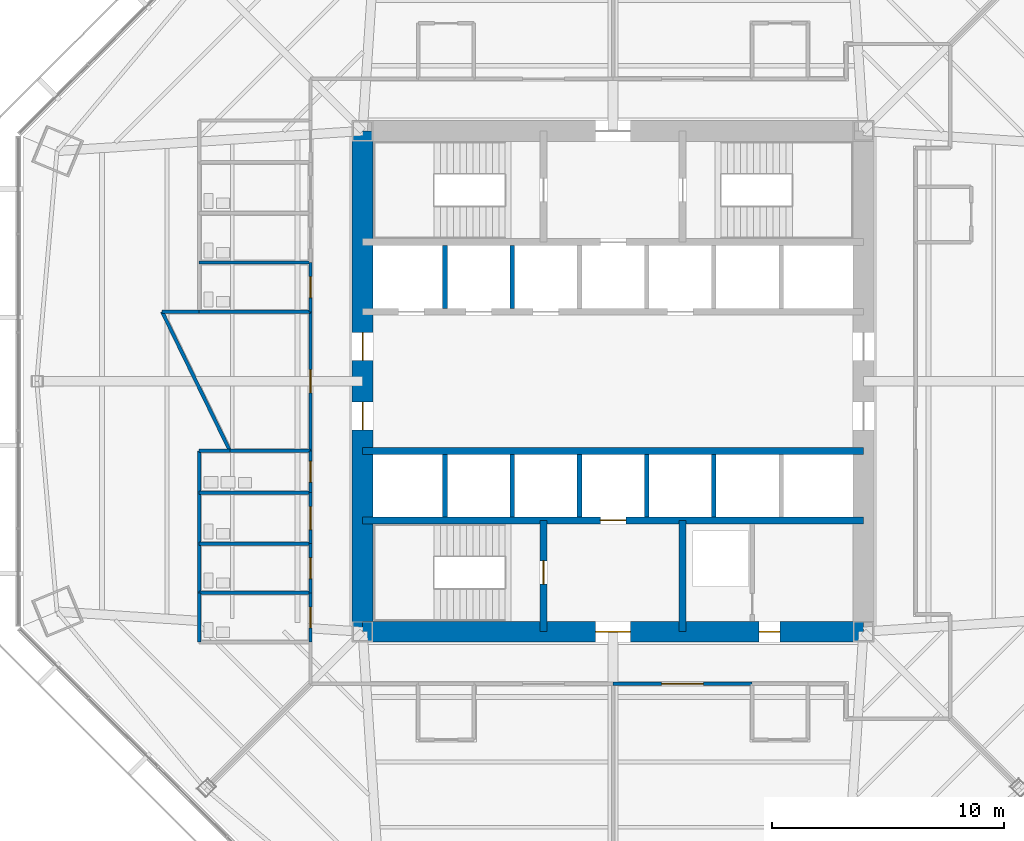
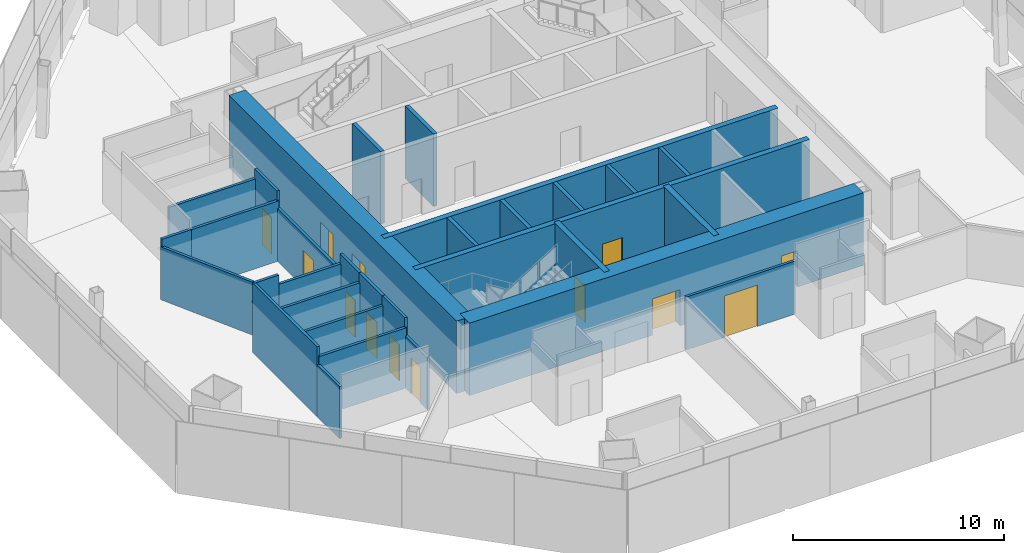
# One storey, part 11 of 18: 31 walls, 13 doors, 13 openings.
"""IFC4 building model written with IfcOpenShell, lengths in metres."""

from ifc_helpers import new_model, si_unit, direction, frame, frame_2d, origin, place, context, subcontext, project, spatial, rectangle, extrude, material, layer, layer_set, type_object, element, fill, save


model = new_model("IFC4")

# Units and contexts
model_context = context("Model", 3, precision=1e-05, world=origin(), true_north=direction((0.0, 1.0)))
body_context = subcontext(model_context, "Body", "Model", "MODEL_VIEW")
ifc_project = project(units=[si_unit("LENGTHUNIT", "METRE"), si_unit("AREAUNIT", "SQUARE_METRE"), si_unit("VOLUMEUNIT", "CUBIC_METRE"), si_unit("PLANEANGLEUNIT", "RADIAN"), si_unit("MASSUNIT", "GRAM", prefix="KILO")], contexts=[model_context])

# Site, building, storey
site_placement = place(None, origin())
site = spatial("IfcSite", under=ifc_project, at=site_placement, CompositionType="ELEMENT")
building_placement = place(site_placement, origin())
building = spatial("IfcBuilding", under=site, at=building_placement, Name="Mashrafa Tower", CompositionType="ELEMENT")
storey_placement = place(building_placement, frame((0.0, 0.0, 83.39990234375)))
storey = spatial("IfcBuildingStorey", under=building, at=storey_placement, Name="L18", CompositionType="ELEMENT", Elevation=83.39990234375)

# Wall
ifc_material_1 = material(Name="Concrete C60/75", Category="concrete")
ifc_layer_1 = layer(ifc_material_1, 0.300048828125)
ifc_layer_set_1 = layer_set([ifc_layer_1], Name="Core wall 300 C60/75")
wall_type_1 = type_object("IfcWallType", Name="Core wall 300 C60/75", PredefinedType="SOLIDWALL", material=ifc_layer_set_1)
wall_1_placement = place(storey_placement, frame((-10.800048828125, -3.0, 0.0), z_axis=(0.0, 0.0, 1.0), x_axis=(1.0, 0.0, 0.0)))
element("IfcWall", 1, at=wall_1_placement, inside=storey, type_object=wall_type_1, Name="Core wall CH-S L18", PredefinedType="SOLIDWALL", context=body_context, shape_type="SweptSolid", body=[
    extrude(rectangle(XDim=21.60009765625, YDim=0.300048828125, at=frame_2d((10.800048828125, 0.0))), origin(), (0.0, 0.0, 1.0), 4.2001953125),
])

# Wall, opening, door
wall_2_placement = place(storey_placement, frame((-10.800048828125, -6.0, 0.0), z_axis=(0.0, 0.0, 1.0), x_axis=(1.0, 0.0, 0.0)))
wall_2 = element("IfcWall", 2, at=wall_2_placement, inside=storey, type_object=wall_type_1, Name="Core wall CB-S L18", PredefinedType="SOLIDWALL", context=body_context, shape_type="SweptSolid", body=[
    extrude(rectangle(XDim=21.60009765625, YDim=0.300048828125, at=frame_2d((10.800048828125, 0.0))), origin(), (0.0, 0.0, 1.0), 4.2001953125),
])
opening_1_placement = place(wall_2_placement, frame((10.25, 0.0, 0.0)))
opening_1 = element("IfcOpeningElement", 3, at=opening_1_placement, cuts=wall_2, Name="Opening 18.F2", PredefinedType="OPENING", context=body_context, shape_type="SweptSolid", body=[
    extrude(rectangle(XDim=1.10009765625, YDim=2.10009765625, at=frame_2d((0.550048828125, 1.050048828125))), frame((0.0, 0.159912109375, 0.0), z_axis=(0.0, -1.0, 0.0), x_axis=(1.0, 0.0, 0.0)), (0.0, 0.0, 1.0), 0.320068359375),
])
ifc_material_2 = material(Name="Steel door", Category="steel")
door_type_1 = type_object("IfcDoorType", Name="Lift landing door 1100 x 2100 90 min", OperationType="DOUBLE_DOOR_SLIDING", PredefinedType="DOOR", material=ifc_material_2)
door_1_placement = place(opening_1_placement, origin())
door_1 = element("IfcDoor", 4, at=door_1_placement, inside=storey, type_object=door_type_1, Name="Lift landing door F2 L18", OperationType="DOUBLE_DOOR_SLIDING", OverallHeight=2.10009765625, OverallWidth=1.10009765625, PredefinedType="DOOR", context=body_context, shape_type="SweptSolid", body=[
    extrude(rectangle(XDim=1.10009765625, YDim=2.10009765625, at=frame_2d((0.550048828125, 1.050048828125))), frame((0.0, 0.02490234375, 0.0), z_axis=(0.0, -1.0, 0.0), x_axis=(1.0, 0.0, 0.0)), (0.0, 0.0, 1.0), 0.050048828125),
])
fill(opening_1, door_1)

wall_3_placement = place(storey_placement, frame((-3.0, -6.0, 0.0), z_axis=(0.0, 0.0, 1.0), x_axis=(0.0, -1.0, 0.0)))
wall_3 = element("IfcWall", 5, at=wall_3_placement, inside=storey, type_object=wall_type_1, Name="Core wall CX-SW L18", PredefinedType="SOLIDWALL", context=body_context, shape_type="SweptSolid", body=[
    extrude(rectangle(XDim=4.800048828125, YDim=0.300048828125, at=frame_2d((2.39990234375, 0.0))), origin(), (0.0, 0.0, 1.0), 4.2001953125),
])
opening_2_placement = place(wall_3_placement, frame((1.75, 0.0, 0.0)))
opening_2 = element("IfcOpeningElement", 6, at=opening_2_placement, cuts=wall_3, Name="Opening 18.034", PredefinedType="OPENING", context=body_context, shape_type="SweptSolid", body=[
    extrude(rectangle(XDim=1.0, YDim=2.10009765625, at=frame_2d((0.5, 1.050048828125))), frame((0.0, 0.159912109375, 0.0), z_axis=(0.0, -1.0, 0.0), x_axis=(1.0, 0.0, 0.0)), (0.0, 0.0, 1.0), 0.320068359375),
])
ifc_material_3 = material(Name="Steel door", Category="steel")
door_type_2 = type_object("IfcDoorType", Name="Stair door 1000 x 2100 90 min", OperationType="USERDEFINED", PredefinedType="DOOR", material=ifc_material_3)
door_2_placement = place(opening_2_placement, frame((1.0, 0.0, 0.0), z_axis=(0.0, 0.0, 1.0), x_axis=(-1.0, 0.0, 0.0)))
door_2 = element("IfcDoor", 7, at=door_2_placement, inside=storey, type_object=door_type_2, Name="Stair S3 door L18", OperationType="SINGLE_SWING_RIGHT", OverallHeight=2.10009765625, OverallWidth=1.0, PredefinedType="DOOR", context=body_context, shape_type="SweptSolid", body=[
    extrude(rectangle(XDim=1.0, YDim=2.10009765625, at=frame_2d((0.5, 1.050048828125))), frame((0.0, 0.02490234375, 0.0), z_axis=(0.0, -1.0, 0.0), x_axis=(1.0, 0.0, 0.0)), (0.0, 0.0, 1.0), 0.050048828125),
])
fill(opening_2, door_2)

# Wall
wall_4_placement = place(storey_placement, frame((3.0, -6.0, 0.0), z_axis=(0.0, 0.0, 1.0), x_axis=(0.0, -1.0, 0.0)))
element("IfcWall", 8, at=wall_4_placement, inside=storey, type_object=wall_type_1, Name="Core wall CX-SE L18", PredefinedType="SOLIDWALL", context=body_context, shape_type="SweptSolid", body=[
    extrude(rectangle(XDim=4.800048828125, YDim=0.300048828125, at=frame_2d((2.39990234375, 0.0))), origin(), (0.0, 0.0, 1.0), 4.2001953125),
])

# Wall, openings, doors
ifc_material_4 = material(Name="Concrete C60/75", Category="concrete")
ifc_layer_2 = layer(ifc_material_4, 0.89990234375)
ifc_layer_set_2 = layer_set([ifc_layer_2], Name="Core wall 900 C60/75")
wall_type_2 = type_object("IfcWallType", Name="Core wall 900 C60/75", PredefinedType="SOLIDWALL", material=ifc_layer_set_2)
wall_5_placement = place(storey_placement, frame((-10.800048828125, -10.800048828125, 0.0), z_axis=(0.0, 0.0, 1.0), x_axis=(1.0, 0.0, 0.0)))
wall_5 = element("IfcWall", 9, at=wall_5_placement, inside=storey, type_object=wall_type_2, Name="Core wall CW-S L18", PredefinedType="SOLIDWALL", context=body_context, shape_type="SweptSolid", body=[
    extrude(rectangle(XDim=21.60009765625, YDim=0.89990234375, at=frame_2d((10.800048828125, 0.0))), origin(), (0.0, 0.0, 1.0), 4.2001953125),
])
opening_3_placement = place(wall_5_placement, frame((10.050048828125, 0.0, 0.0)))
opening_3 = element("IfcOpeningElement", 10, at=opening_3_placement, cuts=wall_5, Name="Opening 18.031", PredefinedType="OPENING", context=body_context, shape_type="SweptSolid", body=[
    extrude(rectangle(XDim=1.5, YDim=2.10009765625, at=frame_2d((0.75, 1.050048828125))), frame((0.0, 0.4599609375, 0.0), z_axis=(0.0, -1.0, 0.0), x_axis=(1.0, 0.0, 0.0)), (0.0, 0.0, 1.0), 0.919921875),
])
opening_4_placement = place(wall_5_placement, frame((17.10009765625, 0.0, 0.0)))
opening_4 = element("IfcOpeningElement", 11, at=opening_4_placement, cuts=wall_5, Name="Opening 18.035", PredefinedType="OPENING", context=body_context, shape_type="SweptSolid", body=[
    extrude(rectangle(XDim=0.89990234375, YDim=2.10009765625, at=frame_2d((0.449951171875, 1.050048828125))), frame((0.0, 0.4599609375, 0.0), z_axis=(0.0, -1.0, 0.0), x_axis=(1.0, 0.0, 0.0)), (0.0, 0.0, 1.0), 0.919921875),
])
ifc_material_5 = material(Name="Steel door", Category="steel")
door_type_3 = type_object("IfcDoorType", Name="Lobby door pair 1500 x 2100 90 min", OperationType="DOUBLE_DOOR_SINGLE_SWING", PredefinedType="DOOR", material=ifc_material_5)
door_3_placement = place(opening_3_placement, origin())
door_3 = element("IfcDoor", 12, at=door_3_placement, inside=storey, type_object=door_type_3, Name="Fire-fighting lobby F2 door L18", OperationType="DOUBLE_DOOR_SINGLE_SWING", OverallHeight=2.10009765625, OverallWidth=1.5, PredefinedType="DOOR", context=body_context, shape_type="SweptSolid", body=[
    extrude(rectangle(XDim=1.5, YDim=2.10009765625, at=frame_2d((0.75, 1.050048828125))), frame((0.0, 0.02490234375, 0.0), z_axis=(0.0, -1.0, 0.0), x_axis=(1.0, 0.0, 0.0)), (0.0, 0.0, 1.0), 0.050048828125),
])
fill(opening_3, door_3)
ifc_material_6 = material(Name="Steel door", Category="steel")
door_type_4 = type_object("IfcDoorType", Name="Service door 900 x 2100 90 min", OperationType="USERDEFINED", PredefinedType="DOOR", material=ifc_material_6)
door_4_placement = place(opening_4_placement, origin())
door_4 = element("IfcDoor", 13, at=door_4_placement, inside=storey, type_object=door_type_4, Name="Communications Room L18 door", OperationType="SINGLE_SWING_LEFT", OverallHeight=2.10009765625, OverallWidth=0.89990234375, PredefinedType="DOOR", context=body_context, shape_type="SweptSolid", body=[
    extrude(rectangle(XDim=0.89990234375, YDim=2.10009765625, at=frame_2d((0.449951171875, 1.050048828125))), frame((0.0, 0.02490234375, 0.0), z_axis=(0.0, -1.0, 0.0), x_axis=(1.0, 0.0, 0.0)), (0.0, 0.0, 1.0), 0.050048828125),
])
fill(opening_4, door_4)

wall_6_placement = place(storey_placement, frame((-10.800048828125, 10.800048828125, 0.0), z_axis=(0.0, 0.0, 1.0), x_axis=(0.0, -1.0, 0.0)))
wall_6 = element("IfcWall", 14, at=wall_6_placement, inside=storey, type_object=wall_type_2, Name="Core wall CW-W L18", PredefinedType="SOLIDWALL", context=body_context, shape_type="SweptSolid", body=[
    extrude(rectangle(XDim=21.60009765625, YDim=0.89990234375, at=frame_2d((10.800048828125, 0.0))), origin(), (0.0, 0.0, 1.0), 4.2001953125),
])
opening_5_placement = place(wall_6_placement, frame((8.699951171875, 0.0, 0.0)))
opening_5 = element("IfcOpeningElement", 15, at=opening_5_placement, cuts=wall_6, Name="Opening 18.027", PredefinedType="OPENING", context=body_context, shape_type="SweptSolid", body=[
    extrude(rectangle(XDim=1.199951171875, YDim=2.10009765625, at=frame_2d((0.60009765625, 1.050048828125))), frame((0.0, 0.4599609375, 0.0), z_axis=(0.0, -1.0, 0.0), x_axis=(1.0, 0.0, 0.0)), (0.0, 0.0, 1.0), 0.919921875),
])
opening_6_placement = place(wall_6_placement, frame((11.699951171875, 0.0, 0.0)))
opening_6 = element("IfcOpeningElement", 16, at=opening_6_placement, cuts=wall_6, Name="Opening 18.029", PredefinedType="OPENING", context=body_context, shape_type="SweptSolid", body=[
    extrude(rectangle(XDim=1.199951171875, YDim=2.10009765625, at=frame_2d((0.60009765625, 1.050048828125))), frame((0.0, 0.4599609375, 0.0), z_axis=(0.0, -1.0, 0.0), x_axis=(1.0, 0.0, 0.0)), (0.0, 0.0, 1.0), 0.919921875),
])
ifc_material_7 = material(Name="Steel door", Category="steel")
door_type_5 = type_object("IfcDoorType", Name="Lift hall door 1200 x 2100 90 min", OperationType="USERDEFINED", PredefinedType="DOOR", material=ifc_material_7)
door_5_placement = place(opening_5_placement, frame((1.199951171875, 0.0, 0.0), z_axis=(0.0, 0.0, 1.0), x_axis=(-1.0, 0.0, 0.0)))
door_5 = element("IfcDoor", 17, at=door_5_placement, inside=storey, type_object=door_type_5, Name="Lift hall door west L18", OperationType="SINGLE_SWING_RIGHT", OverallHeight=2.10009765625, OverallWidth=1.199951171875, PredefinedType="DOOR", context=body_context, shape_type="SweptSolid", body=[
    extrude(rectangle(XDim=1.199951171875, YDim=2.10009765625, at=frame_2d((0.60009765625, 1.050048828125))), frame((0.0, 0.02490234375, 0.0), z_axis=(0.0, -1.0, 0.0), x_axis=(1.0, 0.0, 0.0)), (0.0, 0.0, 1.0), 0.050048828125),
])
fill(opening_5, door_5)
door_6_placement = place(opening_6_placement, frame((1.199951171875, 0.0, 0.0), z_axis=(0.0, 0.0, 1.0), x_axis=(-1.0, 0.0, 0.0)))
door_6 = element("IfcDoor", 18, at=door_6_placement, inside=storey, type_object=door_type_5, Name="Lift hall door west L18", OperationType="SINGLE_SWING_LEFT", OverallHeight=2.10009765625, OverallWidth=1.199951171875, PredefinedType="DOOR", context=body_context, shape_type="SweptSolid", body=[
    extrude(rectangle(XDim=1.199951171875, YDim=2.10009765625, at=frame_2d((0.60009765625, 1.050048828125))), frame((0.0, 0.02490234375, 0.0), z_axis=(0.0, -1.0, 0.0), x_axis=(1.0, 0.0, 0.0)), (0.0, 0.0, 1.0), 0.050048828125),
])
fill(opening_6, door_6)

# Wall, opening, door
ifc_material_8 = material(Name="Gypsum board on steel studs", Category="steel")
ifc_layer_3 = layer(ifc_material_8, 0.14990234375)
ifc_layer_set_3 = layer_set([ifc_layer_3], Name="Corridor partition 150 1 hr")
wall_type_3 = type_object("IfcWallType", Name="Corridor partition 150 1 hr", PredefinedType="PARTITIONING", material=ifc_layer_set_3)
wall_7_placement = place(storey_placement, frame((-13.050048828125, 5.1259765625, 0.0), z_axis=(0.0, 0.0, 1.0), x_axis=(0.0, -1.0, 0.0)))
wall_7 = element("IfcWall", 19, at=wall_7_placement, inside=storey, type_object=wall_type_3, Name="Corridor wall L18-001", PredefinedType="PARTITIONING", context=body_context, shape_type="SweptSolid", body=[
    extrude(rectangle(XDim=2.126953125, YDim=0.14990234375, at=frame_2d((1.0634765625, 0.0))), origin(), (0.0, 0.0, 1.0), 4.03515625),
])
opening_7_placement = place(wall_7_placement, frame((0.613525390625, 0.0, 0.0)))
opening_7 = element("IfcOpeningElement", 20, at=opening_7_placement, cuts=wall_7, Name="Opening 18.001", PredefinedType="OPENING", context=body_context, shape_type="SweptSolid", body=[
    extrude(rectangle(XDim=0.89990234375, YDim=2.10009765625, at=frame_2d((0.449951171875, 1.050048828125))), frame((0.0, 0.0849609375, 0.0), z_axis=(0.0, -1.0, 0.0), x_axis=(1.0, 0.0, 0.0)), (0.0, 0.0, 1.0), 0.169921875),
])
ifc_material_9 = material(Name="Timber door", Category="wood")
door_type_6 = type_object("IfcDoorType", Name="Toilet door 900 x 2100", OperationType="USERDEFINED", PredefinedType="DOOR", material=ifc_material_9)
door_7_placement = place(opening_7_placement, frame((0.89990234375, 0.0, 0.0), z_axis=(0.0, 0.0, 1.0), x_axis=(-1.0, 0.0, 0.0)))
door_7 = element("IfcDoor", 21, at=door_7_placement, inside=storey, type_object=door_type_6, Name="WC Female L18 N door", OperationType="SINGLE_SWING_RIGHT", OverallHeight=2.10009765625, OverallWidth=0.89990234375, PredefinedType="DOOR", context=body_context, shape_type="SweptSolid", body=[
    extrude(rectangle(XDim=0.89990234375, YDim=2.10009765625, at=frame_2d((0.449951171875, 1.050048828125))), frame((0.0, 0.02490234375, 0.0), z_axis=(0.0, -1.0, 0.0), x_axis=(1.0, 0.0, 0.0)), (0.0, 0.0, 1.0), 0.050048828125),
])
fill(opening_7, door_7)

wall_8_placement = place(storey_placement, frame((-13.050048828125, -9.1240234375, 0.0), z_axis=(0.0, 0.0, 1.0), x_axis=(0.0, -1.0, 0.0)))
wall_8 = element("IfcWall", 22, at=wall_8_placement, inside=storey, type_object=wall_type_3, Name="Corridor wall L18-005", PredefinedType="PARTITIONING", context=body_context, shape_type="SweptSolid", body=[
    extrude(rectangle(XDim=2.126953125, YDim=0.14990234375, at=frame_2d((1.0634765625, 0.0))), origin(), (0.0, 0.0, 1.0), 3.01416015625),
])
opening_8_placement = place(wall_8_placement, frame((0.613525390625, 0.0, 0.0)))
opening_8 = element("IfcOpeningElement", 23, at=opening_8_placement, cuts=wall_8, Name="Opening 18.005", PredefinedType="OPENING", context=body_context, shape_type="SweptSolid", body=[
    extrude(rectangle(XDim=0.89990234375, YDim=2.10009765625, at=frame_2d((0.449951171875, 1.050048828125))), frame((0.0, 0.0849609375, 0.0), z_axis=(0.0, -1.0, 0.0), x_axis=(1.0, 0.0, 0.0)), (0.0, 0.0, 1.0), 0.169921875),
])
door_8_placement = place(opening_8_placement, frame((0.89990234375, 0.0, 0.0), z_axis=(0.0, 0.0, 1.0), x_axis=(-1.0, 0.0, 0.0)))
door_8 = element("IfcDoor", 24, at=door_8_placement, inside=storey, type_object=door_type_6, Name="WC Female L18 S door", OperationType="SINGLE_SWING_RIGHT", OverallHeight=2.10009765625, OverallWidth=0.89990234375, PredefinedType="DOOR", context=body_context, shape_type="SweptSolid", body=[
    extrude(rectangle(XDim=0.89990234375, YDim=2.10009765625, at=frame_2d((0.449951171875, 1.050048828125))), frame((0.0, 0.02490234375, 0.0), z_axis=(0.0, -1.0, 0.0), x_axis=(1.0, 0.0, 0.0)), (0.0, 0.0, 1.0), 0.050048828125),
])
fill(opening_8, door_8)

wall_9_placement = place(storey_placement, frame((-13.050048828125, -6.9990234375, 0.0), z_axis=(0.0, 0.0, 1.0), x_axis=(0.0, -1.0, 0.0)))
wall_9 = element("IfcWall", 25, at=wall_9_placement, inside=storey, type_object=wall_type_3, Name="Corridor wall L18-006", PredefinedType="PARTITIONING", context=body_context, shape_type="SweptSolid", body=[
    extrude(rectangle(XDim=2.126953125, YDim=0.14990234375, at=frame_2d((1.0634765625, 0.0))), origin(), (0.0, 0.0, 1.0), 4.03515625),
])
opening_9_placement = place(wall_9_placement, frame((0.613525390625, 0.0, 0.0)))
opening_9 = element("IfcOpeningElement", 26, at=opening_9_placement, cuts=wall_9, Name="Opening 18.006", PredefinedType="OPENING", context=body_context, shape_type="SweptSolid", body=[
    extrude(rectangle(XDim=0.89990234375, YDim=2.10009765625, at=frame_2d((0.449951171875, 1.050048828125))), frame((0.0, 0.0849609375, 0.0), z_axis=(0.0, -1.0, 0.0), x_axis=(1.0, 0.0, 0.0)), (0.0, 0.0, 1.0), 0.169921875),
])
door_9_placement = place(opening_9_placement, frame((0.89990234375, 0.0, 0.0), z_axis=(0.0, 0.0, 1.0), x_axis=(-1.0, 0.0, 0.0)))
door_9 = element("IfcDoor", 27, at=door_9_placement, inside=storey, type_object=door_type_6, Name="WC Male L18 S door", OperationType="SINGLE_SWING_RIGHT", OverallHeight=2.10009765625, OverallWidth=0.89990234375, PredefinedType="DOOR", context=body_context, shape_type="SweptSolid", body=[
    extrude(rectangle(XDim=0.89990234375, YDim=2.10009765625, at=frame_2d((0.449951171875, 1.050048828125))), frame((0.0, 0.02490234375, 0.0), z_axis=(0.0, -1.0, 0.0), x_axis=(1.0, 0.0, 0.0)), (0.0, 0.0, 1.0), 0.050048828125),
])
fill(opening_9, door_9)

wall_10_placement = place(storey_placement, frame((-13.050048828125, -4.799072265625, 0.0), z_axis=(0.0, 0.0, 1.0), x_axis=(0.0, -1.0, 0.0)))
wall_10 = element("IfcWall", 28, at=wall_10_placement, inside=storey, type_object=wall_type_3, Name="Corridor wall L18-007", PredefinedType="PARTITIONING", context=body_context, shape_type="SweptSolid", body=[
    extrude(rectangle(XDim=2.201904296875, YDim=0.14990234375, at=frame_2d((1.10107421875, 0.0))), origin(), (0.0, 0.0, 1.0), 4.03515625),
])
opening_10_placement = place(wall_10_placement, frame((0.60107421875, 0.0, 0.0)))
opening_10 = element("IfcOpeningElement", 29, at=opening_10_placement, cuts=wall_10, Name="Opening 18.007", PredefinedType="OPENING", context=body_context, shape_type="SweptSolid", body=[
    extrude(rectangle(XDim=1.0, YDim=2.10009765625, at=frame_2d((0.5, 1.050048828125))), frame((0.0, 0.0849609375, 0.0), z_axis=(0.0, -1.0, 0.0), x_axis=(1.0, 0.0, 0.0)), (0.0, 0.0, 1.0), 0.169921875),
])
ifc_material_10 = material(Name="Timber door", Category="wood")
door_type_7 = type_object("IfcDoorType", Name="Accessible toilet door 1000 x 2100", OperationType="USERDEFINED", PredefinedType="DOOR", material=ifc_material_10)
door_10_placement = place(opening_10_placement, frame((1.0, 0.0, 0.0), z_axis=(0.0, 0.0, 1.0), x_axis=(-1.0, 0.0, 0.0)))
door_10 = element("IfcDoor", 30, at=door_10_placement, inside=storey, type_object=door_type_7, Name="Accessible WC L18 S door", OperationType="SINGLE_SWING_LEFT", OverallHeight=2.10009765625, OverallWidth=1.0, PredefinedType="DOOR", context=body_context, shape_type="SweptSolid", body=[
    extrude(rectangle(XDim=1.0, YDim=2.10009765625, at=frame_2d((0.5, 1.050048828125))), frame((0.0, 0.02490234375, 0.0), z_axis=(0.0, -1.0, 0.0), x_axis=(1.0, 0.0, 0.0)), (0.0, 0.0, 1.0), 0.050048828125),
])
fill(opening_10, door_10)

wall_11_placement = place(storey_placement, frame((-13.050048828125, -2.9990234375, 0.0), z_axis=(0.0, 0.0, 1.0), x_axis=(0.0, -1.0, 0.0)))
wall_11 = element("IfcWall", 31, at=wall_11_placement, inside=storey, type_object=wall_type_3, Name="Corridor wall L18-008", PredefinedType="PARTITIONING", context=body_context, shape_type="SweptSolid", body=[
    extrude(rectangle(XDim=1.802001953125, YDim=0.14990234375, at=frame_2d((0.90087890625, 0.0))), origin(), (0.0, 0.0, 1.0), 4.03515625),
])
opening_11_placement = place(wall_11_placement, frame((0.450927734375, 0.0, 0.0)))
opening_11 = element("IfcOpeningElement", 32, at=opening_11_placement, cuts=wall_11, Name="Opening 18.008", PredefinedType="OPENING", context=body_context, shape_type="SweptSolid", body=[
    extrude(rectangle(XDim=0.89990234375, YDim=2.10009765625, at=frame_2d((0.449951171875, 1.050048828125))), frame((0.0, 0.0849609375, 0.0), z_axis=(0.0, -1.0, 0.0), x_axis=(1.0, 0.0, 0.0)), (0.0, 0.0, 1.0), 0.169921875),
])
door_11_placement = place(opening_11_placement, frame((0.89990234375, 0.0, 0.0), z_axis=(0.0, 0.0, 1.0), x_axis=(-1.0, 0.0, 0.0)))
door_11 = element("IfcDoor", 33, at=door_11_placement, inside=storey, type_object=door_type_6, Name="Ablution Room L18 S door", OperationType="SINGLE_SWING_RIGHT", OverallHeight=2.10009765625, OverallWidth=0.89990234375, PredefinedType="DOOR", context=body_context, shape_type="SweptSolid", body=[
    extrude(rectangle(XDim=0.89990234375, YDim=2.10009765625, at=frame_2d((0.449951171875, 1.050048828125))), frame((0.0, 0.02490234375, 0.0), z_axis=(0.0, -1.0, 0.0), x_axis=(1.0, 0.0, 0.0)), (0.0, 0.0, 1.0), 0.050048828125),
])
fill(opening_11, door_11)

wall_12_placement = place(storey_placement, frame((-13.050048828125, 3.0009765625, 0.0), z_axis=(0.0, 0.0, 1.0), x_axis=(0.0, -1.0, 0.0)))
wall_12 = element("IfcWall", 34, at=wall_12_placement, inside=storey, type_object=wall_type_3, Name="Corridor wall L18-009", PredefinedType="PARTITIONING", context=body_context, shape_type="SweptSolid", body=[
    extrude(rectangle(XDim=6.001953125, YDim=0.14990234375, at=frame_2d((3.0009765625, 0.0))), origin(), (0.0, 0.0, 1.0), 3.06494140625),
])
opening_12_placement = place(wall_12_placement, frame((2.5009765625, 0.0, 0.0)))
opening_12 = element("IfcOpeningElement", 35, at=opening_12_placement, cuts=wall_12, Name="Opening 18.009", PredefinedType="OPENING", context=body_context, shape_type="SweptSolid", body=[
    extrude(rectangle(XDim=1.0, YDim=2.10009765625, at=frame_2d((0.5, 1.050048828125))), frame((0.0, 0.0849609375, 0.0), z_axis=(0.0, -1.0, 0.0), x_axis=(1.0, 0.0, 0.0)), (0.0, 0.0, 1.0), 0.169921875),
])
ifc_material_11 = material(Name="Timber door", Category="wood")
door_type_8 = type_object("IfcDoorType", Name="Door 1000 x 2100", OperationType="USERDEFINED", PredefinedType="DOOR", material=ifc_material_11)
door_12_placement = place(opening_12_placement, frame((1.0, 0.0, 0.0), z_axis=(0.0, 0.0, 1.0), x_axis=(-1.0, 0.0, 0.0)))
door_12 = element("IfcDoor", 36, at=door_12_placement, inside=storey, type_object=door_type_8, Name="Musallah Prayer Room 18 door", OperationType="SINGLE_SWING_LEFT", OverallHeight=2.10009765625, OverallWidth=1.0, PredefinedType="DOOR", context=body_context, shape_type="SweptSolid", body=[
    extrude(rectangle(XDim=1.0, YDim=2.10009765625, at=frame_2d((0.5, 1.050048828125))), frame((0.0, 0.02490234375, 0.0), z_axis=(0.0, -1.0, 0.0), x_axis=(1.0, 0.0, 0.0)), (0.0, 0.0, 1.0), 0.050048828125),
])
fill(opening_12, door_12)

wall_13_placement = place(storey_placement, frame((-0.0009765625, -13.050048828125, 0.0), z_axis=(0.0, 0.0, 1.0), x_axis=(1.0, 0.0, 0.0)))
wall_13 = element("IfcWall", 37, at=wall_13_placement, inside=storey, type_object=wall_type_3, Name="Corridor wall L18-029", PredefinedType="PARTITIONING", context=body_context, shape_type="SweptSolid", body=[
    extrude(rectangle(XDim=6.001953125, YDim=0.14990234375, at=frame_2d((3.0009765625, 0.0))), origin(), (0.0, 0.0, 1.0), 3.06494140625),
])
opening_13_placement = place(wall_13_placement, frame((2.10107421875, 0.0, 0.0)))
opening_13 = element("IfcOpeningElement", 38, at=opening_13_placement, cuts=wall_13, Name="Opening 18.024", PredefinedType="OPENING", context=body_context, shape_type="SweptSolid", body=[
    extrude(rectangle(XDim=1.800048828125, YDim=2.39990234375, at=frame_2d((0.89990234375, 1.199951171875))), frame((0.0, 0.0849609375, 0.0), z_axis=(0.0, -1.0, 0.0), x_axis=(1.0, 0.0, 0.0)), (0.0, 0.0, 1.0), 0.169921875),
])
ifc_material_12 = material(Name="Timber door", Category="wood")
door_type_9 = type_object("IfcDoorType", Name="Door pair 1800 x 2400", OperationType="DOUBLE_DOOR_SINGLE_SWING", PredefinedType="DOOR", material=ifc_material_12)
door_13_placement = place(opening_13_placement, frame((1.800048828125, 0.0, 0.0), z_axis=(0.0, 0.0, 1.0), x_axis=(-1.0, 0.0, 0.0)))
door_13 = element("IfcDoor", 39, at=door_13_placement, inside=storey, type_object=door_type_9, Name="Office Suite 18-SE door", OperationType="DOUBLE_DOOR_SINGLE_SWING", OverallHeight=2.39990234375, OverallWidth=1.800048828125, PredefinedType="DOOR", context=body_context, shape_type="SweptSolid", body=[
    extrude(rectangle(XDim=1.800048828125, YDim=2.39990234375, at=frame_2d((0.89990234375, 1.199951171875))), frame((0.0, 0.02490234375, 0.0), z_axis=(0.0, -1.0, 0.0), x_axis=(1.0, 0.0, 0.0)), (0.0, 0.0, 1.0), 0.050048828125),
])
fill(opening_13, door_13)

# Walls
ifc_material_13 = material(Name="Gypsum board on steel studs", Category="steel")
ifc_layer_4 = layer(ifc_material_13, 0.14990234375)
ifc_layer_set_4 = layer_set([ifc_layer_4], Name="Partition 150")
wall_type_4 = type_object("IfcWallType", Name="Partition 150", PredefinedType="PARTITIONING", material=ifc_layer_set_4)
for number, where, z_axis, x_axis, name in (
    (40, (-13.050048828125, 5.125, 0.0), (0.0, 0.0, 1.0), (-1.0, 0.0, 0.0), "Partition wall L18-035"),
    (41, (-17.85009765625, 3.0, 0.0), (0.0, 0.0, 1.0), (1.0, 0.0, 0.0), "Partition wall L18-036"),
    (42, (-13.050048828125, -9.125, 0.0), (0.0, 0.0, 1.0), (-1.0, 0.0, 0.0), "Partition wall L18-044"),
):
    element("IfcWall", number, at=place(storey_placement, frame(where, z_axis=z_axis, x_axis=x_axis)), inside=storey, type_object=wall_type_4, Name=name, PredefinedType="PARTITIONING", context=body_context, shape_type="SweptSolid", body=[
        extrude(rectangle(XDim=4.800048828125, YDim=0.14990234375, at=frame_2d((2.39990234375, 0.0))), origin(), (0.0, 0.0, 1.0), 3.49169921875),
    ])
wall_14_placement = place(storey_placement, frame((-17.85009765625, -9.125, 0.0), z_axis=(0.0, 0.0, 1.0), x_axis=(0.0, -1.0, 0.0)))
element("IfcWall", 43, at=wall_14_placement, inside=storey, type_object=wall_type_4, Name="Partition wall L18-045", PredefinedType="PARTITIONING", context=body_context, shape_type="SweptSolid", body=[
    extrude(rectangle(XDim=2.125, YDim=0.14990234375, at=frame_2d((1.0625, 0.0))), origin(), (0.0, 0.0, 1.0), 3.01416015625),
])
wall_15_placement = place(storey_placement, frame((-13.050048828125, -7.0, 0.0), z_axis=(0.0, 0.0, 1.0), x_axis=(-1.0, 0.0, 0.0)))
element("IfcWall", 44, at=wall_15_placement, inside=storey, type_object=wall_type_4, Name="Partition wall L18-047", PredefinedType="PARTITIONING", context=body_context, shape_type="SweptSolid", body=[
    extrude(rectangle(XDim=4.800048828125, YDim=0.14990234375, at=frame_2d((2.39990234375, 0.0))), origin(), (0.0, 0.0, 1.0), 3.49169921875),
])
wall_16_placement = place(storey_placement, frame((-17.85009765625, -9.125, 0.0), z_axis=(0.0, 0.0, 1.0), x_axis=(0.0, 1.0, 0.0)))
element("IfcWall", 45, at=wall_16_placement, inside=storey, type_object=wall_type_4, Name="Partition wall L18-048", PredefinedType="PARTITIONING", context=body_context, shape_type="SweptSolid", body=[
    extrude(rectangle(XDim=6.125, YDim=0.14990234375, at=frame_2d((3.0625, 0.0))), origin(), (0.0, 0.0, 1.0), 4.03515625),
])
wall_17_placement = place(storey_placement, frame((-13.050048828125, -4.800048828125, 0.0), z_axis=(0.0, 0.0, 1.0), x_axis=(-1.0, 0.0, 0.0)))
element("IfcWall", 46, at=wall_17_placement, inside=storey, type_object=wall_type_4, Name="Partition wall L18-049", PredefinedType="PARTITIONING", context=body_context, shape_type="SweptSolid", body=[
    extrude(rectangle(XDim=4.800048828125, YDim=0.14990234375, at=frame_2d((2.39990234375, 0.0))), origin(), (0.0, 0.0, 1.0), 3.49169921875),
])
wall_18_placement = place(storey_placement, frame((-13.050048828125, -3.0, 0.0), z_axis=(0.0, 0.0, 1.0), x_axis=(-1.0, 0.0, 0.0)))
element("IfcWall", 47, at=wall_18_placement, inside=storey, type_object=wall_type_4, Name="Partition wall L18-051", PredefinedType="PARTITIONING", context=body_context, shape_type="SweptSolid", body=[
    extrude(rectangle(XDim=3.474609375, YDim=0.14990234375, at=frame_2d((1.7373046875, 0.0))), origin(), (0.0, 0.0, 1.0), 3.49169921875),
])
wall_19_placement = place(storey_placement, frame((-16.5224609375, -3.0, 0.0), z_axis=(0.0, 0.0, 1.0), x_axis=(-1.0, 0.0, 0.0)))
element("IfcWall", 48, at=wall_19_placement, inside=storey, type_object=wall_type_4, Name="Partition wall L18-052", PredefinedType="PARTITIONING", context=body_context, shape_type="SweptSolid", body=[
    extrude(rectangle(XDim=1.32763671875, YDim=0.14990234375, at=frame_2d((0.663818359375, 0.0))), origin(), (0.0, 0.0, 1.0), 4.03515625),
])
wall_20_placement = place(storey_placement, frame((-17.84912109375, 3.0, 0.0), z_axis=(0.0, 0.0, 1.0), x_axis=(-1.0, 0.0, 0.0)))
element("IfcWall", 49, at=wall_20_placement, inside=storey, type_object=wall_type_4, Name="Partition wall L18-054", PredefinedType="PARTITIONING", context=body_context, shape_type="SweptSolid", body=[
    extrude(rectangle(XDim=1.600830078125, YDim=0.14990234375, at=frame_2d((0.80029296875, 0.0))), origin(), (0.0, 0.0, 1.0), 3.496826171875),
])
wall_21_placement = place(storey_placement, frame((-19.449951171875, 3.0, 0.0), z_axis=(0.0, 0.0, 1.0), x_axis=(0.43835589904, -0.898801482963, 0.0)))
element("IfcWall", 50, at=wall_21_placement, inside=storey, type_object=wall_type_4, Name="Partition wall L18-055", PredefinedType="PARTITIONING", context=body_context, shape_type="SweptSolid", body=[
    extrude(rectangle(XDim=6.675537109375, YDim=0.14990234375, at=frame_2d((3.337890625, 0.0))), origin(), (0.0, 0.0, 1.0), 3.06494140625),
])
ifc_material_14 = material(Name="Gypsum shaft wall on steel studs", Category="steel")
ifc_layer_5 = layer(ifc_material_14, 0.199951171875)
ifc_layer_set_5 = layer_set([ifc_layer_5], Name="Shaft divider wall 200 2 hr")
wall_type_5 = type_object("IfcWallType", Name="Shaft divider wall 200 2 hr", PredefinedType="PARTITIONING", material=ifc_layer_set_5)
for number, where, z_axis, x_axis, name in (
    (51, (-7.25, 3.14990234375, 0.0), (0.0, 0.0, 1.0), (0.0, 1.0, 0.0), "Shaft divider wall N1 L18"),
    (52, (-4.35009765625, 3.14990234375, 0.0), (0.0, 0.0, 1.0), (0.0, 1.0, 0.0), "Shaft divider wall N2 L18"),
    (53, (-7.25, -5.85009765625, 0.0), (0.0, 0.0, 1.0), (0.0, 1.0, 0.0), "Shaft divider wall S1 L18"),
    (54, (-4.35009765625, -5.85009765625, 0.0), (0.0, 0.0, 1.0), (0.0, 1.0, 0.0), "Shaft divider wall S2 L18"),
    (55, (-1.449951171875, -5.85009765625, 0.0), (0.0, 0.0, 1.0), (0.0, 1.0, 0.0), "Shaft divider wall S3 L18"),
    (56, (1.449951171875, -5.85009765625, 0.0), (0.0, 0.0, 1.0), (0.0, 1.0, 0.0), "Shaft divider wall S4 L18"),
    (57, (4.35009765625, -5.85009765625, 0.0), (0.0, 0.0, 1.0), (0.0, 1.0, 0.0), "Shaft divider wall S5 L18"),
):
    element("IfcWall", number, at=place(storey_placement, frame(where, z_axis=z_axis, x_axis=x_axis)), inside=storey, type_object=wall_type_5, Name=name, PredefinedType="PARTITIONING", context=body_context, shape_type="SweptSolid", body=[
        extrude(rectangle(XDim=2.7001953125, YDim=0.199951171875, at=frame_2d((1.35009765625, 0.0))), origin(), (0.0, 0.0, 1.0), 4.2001953125),
    ])

save(model, "model.ifc")
